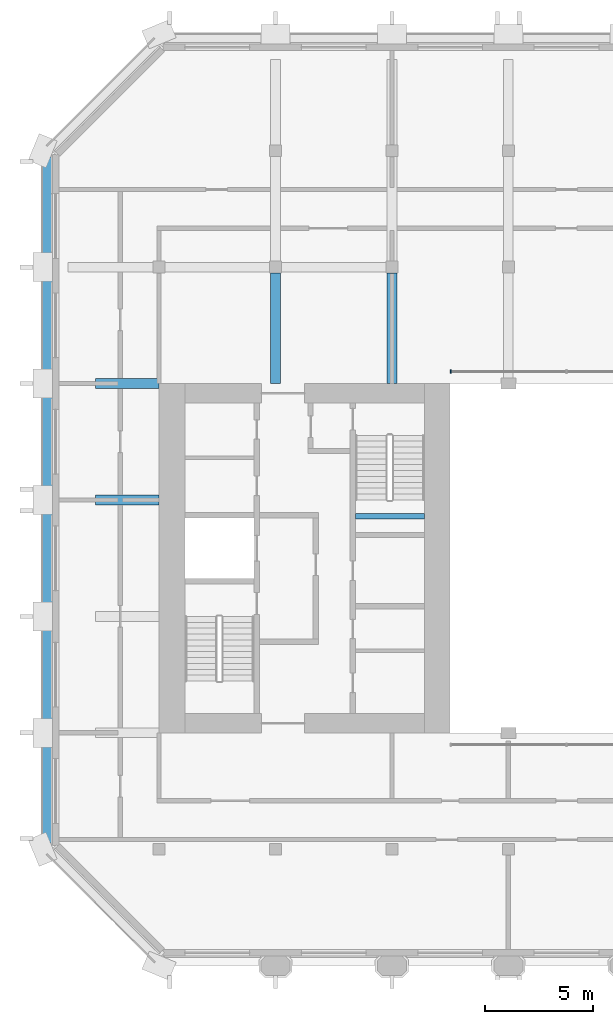
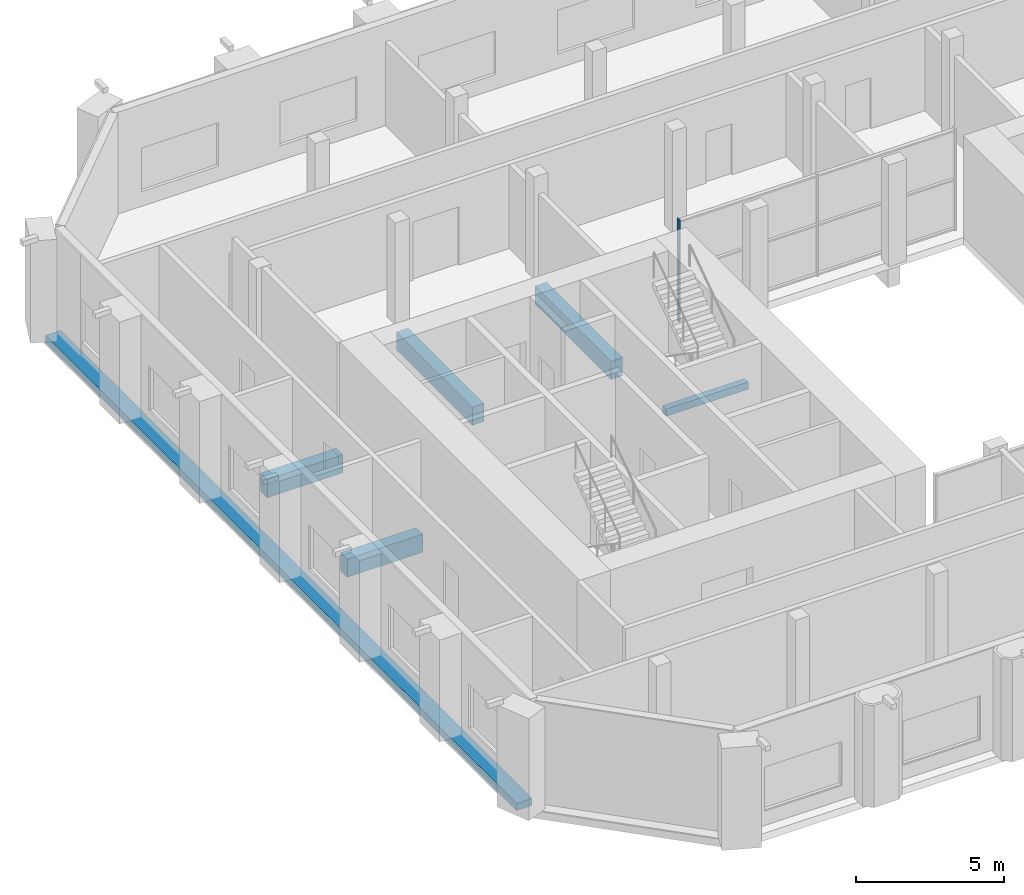
# One storey, part 3 of 12: 6 beams, 1 member, 1 element without a shape of its own.
"""IFC4 building model written with IfcOpenShell, lengths in metres."""

from ifc_helpers import new_model, si_unit, direction, frame, origin, origin_2d, place, context, subcontext, project, spatial, rectangle, extrude, material, material_profile, profile_set, type_object, element, aggregate, save


model = new_model("IFC4")

# Units and contexts
model_context = context("Model", 3, precision=1e-05, world=origin(), true_north=direction((0.0, 1.0)))
body_context = subcontext(model_context, "Body", "Model", "MODEL_VIEW")
ifc_project = project(units=[si_unit("LENGTHUNIT", "METRE"), si_unit("AREAUNIT", "SQUARE_METRE"), si_unit("VOLUMEUNIT", "CUBIC_METRE"), si_unit("PLANEANGLEUNIT", "RADIAN"), si_unit("MASSUNIT", "GRAM", prefix="KILO")], contexts=[model_context])

# Site, building, storey
site_placement = place(None, origin())
site = spatial("IfcSite", under=ifc_project, at=site_placement, CompositionType="ELEMENT")
building_placement = place(site_placement, origin())
building = spatial("IfcBuilding", under=site, at=building_placement, Name="Tabaq Tower and Sports Hall", CompositionType="ELEMENT")
storey_placement = place(building_placement, frame((0.0, 0.0, 317.199951171875)))
storey = spatial("IfcBuildingStorey", under=building, at=storey_placement, Name="L79", CompositionType="ELEMENT", Elevation=317.199951171875)

# Curtain wall, member
ifc_material_1 = material(Name="Aluminium alloy 6063-T6 framed glazing", Category="aluminium")
curtain_wall_type = type_object("IfcCurtainWallType", Name="CW1 curtain wall", PredefinedType="USERDEFINED", material=ifc_material_1)
curtain_wall_placement = place(storey_placement, origin())
curtain_wall = element("IfcCurtainWall", 1, at=curtain_wall_placement, inside=storey, type_object=curtain_wall_type, Name="Atrium glazing L79 N", ObjectType="ATRIUM ENCLOSURE", PredefinedType="USERDEFINED")
ifc_material_2 = material(Name="Aluminium alloy 6063-T6", Category="aluminium")
ifc_material_profile_1 = material_profile(ifc_material_2, rectangle(XDim=0.159912109375, YDim=0.06005859375, at=origin_2d()), Name="MULLION 160x60")
ifc_profile_set_1 = profile_set([ifc_material_profile_1], Name="Aluminium alloy 6063-T6")
member_type = type_object("IfcMemberType", Name="CW1 mullion 160x60", PredefinedType="MULLION", material=ifc_profile_set_1)
member_placement = place(storey_placement, frame((18.929931640625, 32.949951171875, 0.0), z_axis=(0.0, 0.0, 1.0), x_axis=(0.0, 1.0, 0.0)))
member = element("IfcMember", 2, at=member_placement, type_object=member_type, Name="CW1 mullion 1", PredefinedType="MULLION", context=body_context, shape_type="SweptSolid", body=[
    extrude(rectangle(XDim=0.159912109375, YDim=0.06005859375, at=origin_2d()), origin(), (0.0, 0.0, 1.0), 4.199951171875),
])
aggregate(curtain_wall, [member])

# Beams
ifc_material_3 = material(Name="Concrete C40/50", Category="concrete")
ifc_material_profile_2 = material_profile(ifc_material_3, rectangle(XDim=0.449951171875, YDim=0.75, at=origin_2d()), Name="CB 450x750")
ifc_profile_set_2 = profile_set([ifc_material_profile_2], Name="Concrete C40/50")
beam_type_1 = type_object("IfcBeamType", Name="PT CANTILEVER BEAM CB 450x750 C40/50", PredefinedType="BEAM", material=ifc_profile_set_2)
for number, where, z_axis, x_axis, name in (
    (3, (2.449951171875, 27.0, -0.675048828125), (1.0, 0.0, 0.0), (0.0, 1.0, 0.0), "Cantilever Beam L79 W5 span 1"),
    (4, (2.449951171875, 32.39990234375, -0.675048828125), (1.0, 0.0, 0.0), (0.0, 1.0, 0.0), "Cantilever Beam L79 W6 span 1"),
):
    element("IfcBeam", number, at=place(storey_placement, frame(where, z_axis=z_axis, x_axis=x_axis)), inside=storey, type_object=beam_type_1, Name=name, PredefinedType="BEAM", context=body_context, shape_type="SweptSolid", body=[
        extrude(rectangle(XDim=0.449951171875, YDim=0.75, at=origin_2d()), origin(), (0.0, 0.0, 1.0), 2.949951171875),
    ])
for number, where, z_axis, x_axis, name in (
    (5, (10.800048828125, 37.52490234375, -0.675048828125), (0.0, -1.0, 0.0), (1.0, 0.0, 0.0), "Cantilever Beam L79 N2 span 3"),
    (6, (16.199951171875, 37.52490234375, -0.675048828125), (0.0, -1.0, 0.0), (1.0, 0.0, 0.0), "Cantilever Beam L79 N3 span 3"),
):
    element("IfcBeam", number, at=place(storey_placement, frame(where, z_axis=z_axis, x_axis=x_axis)), inside=storey, type_object=beam_type_1, Name=name, PredefinedType="BEAM", context=body_context, shape_type="SweptSolid", body=[
        extrude(rectangle(XDim=0.449951171875, YDim=0.75, at=origin_2d()), origin(), (0.0, 0.0, 1.0), 5.125),
    ])
ifc_material_4 = material(Name="Concrete C40/50", Category="concrete")
ifc_material_profile_3 = material_profile(ifc_material_4, rectangle(XDim=0.60009765625, YDim=0.300048828125, at=origin_2d()), Name="EB 600x300")
ifc_profile_set_3 = profile_set([ifc_material_profile_3], Name="Concrete C40/50")
beam_type_2 = type_object("IfcBeamType", Name="PT EDGE BEAM EB 600x300 C40/50", PredefinedType="SPANDREL", material=ifc_profile_set_3)
beam_1_placement = place(storey_placement, frame((0.300048828125, 42.9013671875, -0.14990234375), z_axis=(0.0, -1.0, 0.0), x_axis=(1.0, 0.0, 0.0)))
element("IfcBeam", 7, at=beam_1_placement, inside=storey, type_object=beam_type_2, Name="Edge Beam L79 4", PredefinedType="SPANDREL", context=body_context, shape_type="SweptSolid", body=[
    extrude(rectangle(XDim=0.60009765625, YDim=0.300048828125, at=origin_2d()), origin(), (0.0, 0.0, 1.0), 31.802734375),
])
ifc_material_5 = material(Name="Concrete C40/50", Category="concrete")
ifc_material_profile_4 = material_profile(ifc_material_5, rectangle(XDim=0.25, YDim=0.300048828125, at=origin_2d()), Name="RC 250x300")
ifc_profile_set_4 = profile_set([ifc_material_profile_4], Name="Concrete C40/50")
beam_type_3 = type_object("IfcBeamType", Name="Stair landing beam 250x300", PredefinedType="BEAM", material=ifc_profile_set_4)
beam_2_placement = place(storey_placement, frame((14.5, 26.25, 1.900146484375), z_axis=(1.0, 0.0, 0.0), x_axis=(0.0, 1.0, 0.0)))
element("IfcBeam", 8, at=beam_2_placement, inside=storey, type_object=beam_type_3, Name="L79 ST2 landing beam 1", PredefinedType="BEAM", context=body_context, shape_type="SweptSolid", body=[
    extrude(rectangle(XDim=0.25, YDim=0.300048828125, at=origin_2d()), origin(), (0.0, 0.0, 1.0), 3.199951171875),
])

save(model, "model.ifc")
